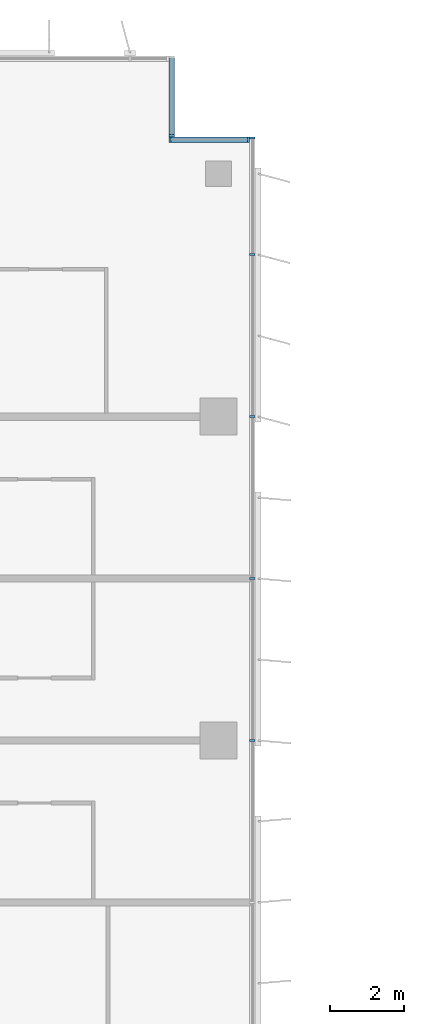
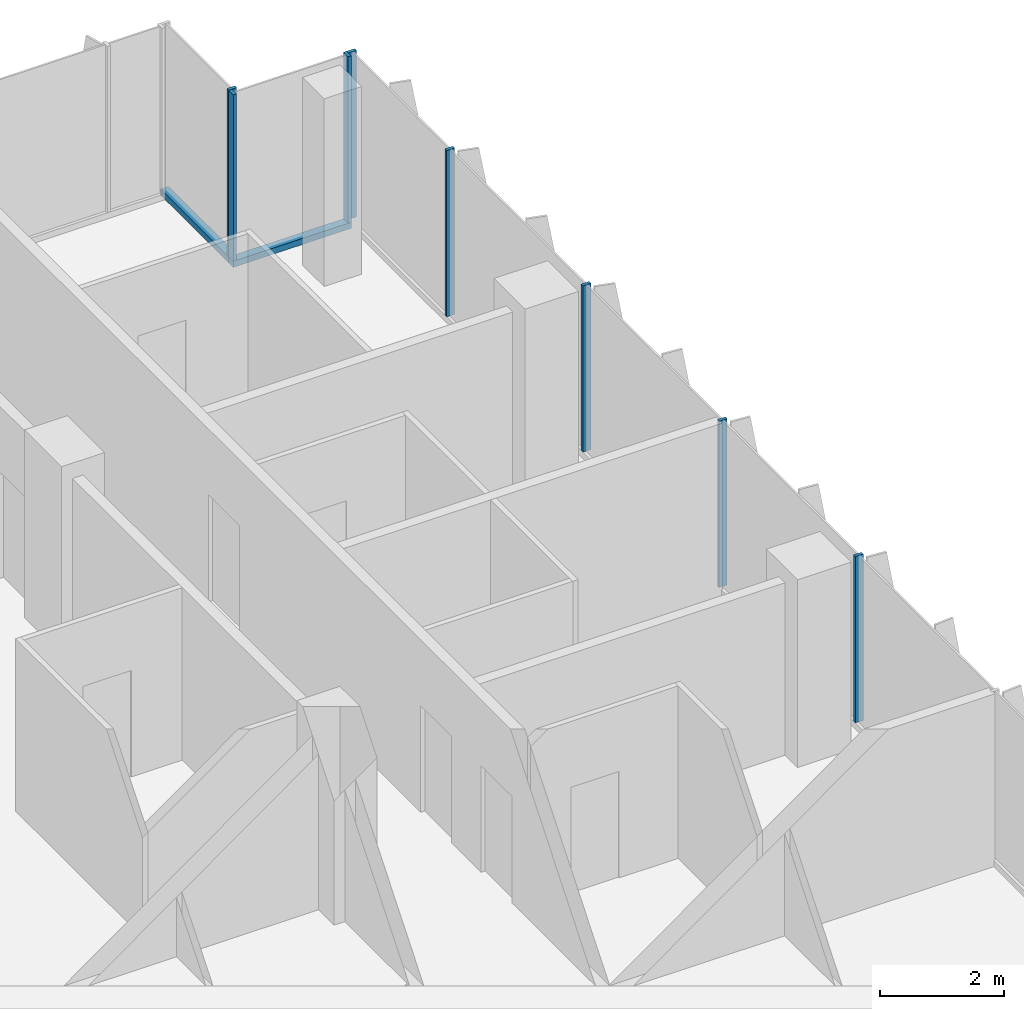
# One storey, part 7 of 21: 10 members, 3 elements without a shape of their own.
"""IFC4 building model written with IfcOpenShell, lengths in metres."""

from ifc_helpers import new_model, si_unit, direction, frame, origin, origin_2d, place, context, subcontext, project, spatial, rectangle, extrude, source, transform, mapped, material, material_profile, profile_set, type_object, element, aggregate, save


model = new_model("IFC4")

# Units and contexts
model_context = context("Model", 3, precision=1e-05, world=origin(), true_north=direction((0.0, 1.0)))
body_context = subcontext(model_context, "Body", "Model", "MODEL_VIEW")
ifc_project = project(units=[si_unit("LENGTHUNIT", "METRE"), si_unit("AREAUNIT", "SQUARE_METRE"), si_unit("VOLUMEUNIT", "CUBIC_METRE"), si_unit("PLANEANGLEUNIT", "RADIAN"), si_unit("MASSUNIT", "GRAM", prefix="KILO")], contexts=[model_context])

# Site, building, storey
site_placement = place(None, origin())
site = spatial("IfcSite", under=ifc_project, at=site_placement, CompositionType="ELEMENT")
building_placement = place(site_placement, origin())
building = spatial("IfcBuilding", under=site, at=building_placement, Name="Kemantara Hotel Tower", CompositionType="ELEMENT")
storey_placement = place(building_placement, frame((0.0, 0.0, 160.5)))
storey = spatial("IfcBuildingStorey", under=building, at=storey_placement, Name="L39", CompositionType="ELEMENT", Elevation=160.5)

# Curtain wall, member
ifc_material_1 = material(Name="Low-E tinted double insulated glass 36 mm", Category="glass")
curtain_wall_type = type_object("IfcCurtainWallType", Name="TOWER CURTAIN WALL, FRONT FACES", PredefinedType="USERDEFINED", material=ifc_material_1)
curtain_wall_1_placement = place(storey_placement, origin())
curtain_wall_1 = element("IfcCurtainWall", 1, at=curtain_wall_1_placement, inside=storey, type_object=curtain_wall_type, Name="CW4 L39 T3-R00-1", ObjectType="TOWER CURTAIN WALL, FRONT FACES", PredefinedType="USERDEFINED")
ifc_material_2 = material(Name="Aluminium 6063-T6 bronze anodised", Category="aluminium")
ifc_material_profile_1 = material_profile(ifc_material_2, rectangle(XDim=0.14990234375, YDim=0.1201171875, at=origin_2d()), Name="TOWER CURTAIN WALL, FRONT FACES TRANSOM")
ifc_profile_set_1 = profile_set([ifc_material_profile_1], Name="Aluminium 6063-T6 bronze anodised")
member_type_1 = type_object("IfcMemberType", Name="TOWER CURTAIN WALL, FRONT FACES TRANSOM", PredefinedType="USERDEFINED", material=ifc_profile_set_1)
member_1_placement = place(storey_placement, frame((21.85009765625, 61.324951171875, 0.06005859375), z_axis=(-1.0, 0.0, 0.0), x_axis=(0.0, -1.0, 0.0)))
member_1 = element("IfcMember", 2, at=member_1_placement, type_object=member_type_1, Name="CW4 sill transom T3-R00-1", ObjectType="TRANSOM", PredefinedType="USERDEFINED", context=body_context, shape_type="SweptSolid", body=[
    extrude(rectangle(XDim=0.14990234375, YDim=0.1201171875, at=origin_2d()), origin(), (0.0, 0.0, 1.0), 2.2001953125),
])

curtain_wall_2_placement = place(storey_placement, origin())
curtain_wall_2 = element("IfcCurtainWall", 3, at=curtain_wall_2_placement, inside=storey, type_object=curtain_wall_type, Name="CW4 L39 T3-R01-1", ObjectType="TOWER CURTAIN WALL, FRONT FACES", PredefinedType="USERDEFINED")
member_2_placement = place(storey_placement, frame((19.72509765625, 61.39990234375, 0.06005859375), z_axis=(0.0, 1.0, 0.0), x_axis=(-1.0, 0.0, 0.0)))
member_2 = element("IfcMember", 4, at=member_2_placement, type_object=member_type_1, Name="CW4 sill transom T3-R01-1", ObjectType="TRANSOM", PredefinedType="USERDEFINED", context=body_context, shape_type="SweptSolid", body=[
    extrude(rectangle(XDim=0.14990234375, YDim=0.1201171875, at=origin_2d()), origin(), (0.0, 0.0, 1.0), 2.2001953125),
])

# Curtain wall, members
curtain_wall_3_placement = place(storey_placement, origin())
curtain_wall_3 = element("IfcCurtainWall", 5, at=curtain_wall_3_placement, inside=storey, type_object=curtain_wall_type, Name="CW4 L39 T3-R17-1", ObjectType="TOWER CURTAIN WALL, FRONT FACES", PredefinedType="USERDEFINED")
ifc_material_profile_2 = material_profile(ifc_material_2, rectangle(XDim=0.14990234375, YDim=0.06005859375, at=origin_2d()), Name="TOWER CURTAIN WALL, FRONT FACES MULLION")
ifc_profile_set_2 = profile_set([ifc_material_profile_2], Name="Aluminium 6063-T6 bronze anodised")
member_type_2 = type_object("IfcMemberType", Name="TOWER CURTAIN WALL, FRONT FACES MULLION", PredefinedType="MULLION", material=ifc_profile_set_2)
shared_shape = source(origin(), body_context, "Body", "SweptSolid", [
    extrude(rectangle(XDim=0.14990234375, YDim=0.06005859375, at=origin_2d()), origin(), (0.0, 0.0, 1.0), 3.27978515625),
])
member_3_placement = place(storey_placement, frame((21.925048828125, 45.0, 0.1201171875), z_axis=(0.0, 0.0, 1.0), x_axis=(-1.0, 0.0, 0.0)))
member_3 = element("IfcMember", 6, at=member_3_placement, type_object=member_type_2, Name="CW4 mullion T3-R17-1.6", PredefinedType="MULLION", context=body_context, shape_type="MappedRepresentation", body=[
    mapped(shared_shape, transform((0.0, 0.0, 0.0))),
])
member_4_placement = place(storey_placement, frame((21.925048828125, 49.39990234375, 0.1201171875), z_axis=(0.0, 0.0, 1.0), x_axis=(-1.0, 0.0, 0.0)))
member_4 = element("IfcMember", 7, at=member_4_placement, type_object=member_type_2, Name="CW4 mullion T3-R17-1.7", PredefinedType="MULLION", context=body_context, shape_type="MappedRepresentation", body=[
    mapped(shared_shape, transform((0.0, 0.0, 0.0))),
])
member_5_placement = place(storey_placement, frame((21.925048828125, 53.800048828125, 0.1201171875), z_axis=(0.0, 0.0, 1.0), x_axis=(-1.0, 0.0, 0.0)))
member_5 = element("IfcMember", 8, at=member_5_placement, type_object=member_type_2, Name="CW4 mullion T3-R17-1.8", PredefinedType="MULLION", context=body_context, shape_type="MappedRepresentation", body=[
    mapped(shared_shape, transform((0.0, 0.0, 0.0))),
])
member_6_placement = place(storey_placement, frame((21.925048828125, 58.199951171875, 0.1201171875), z_axis=(0.0, 0.0, 1.0), x_axis=(-1.0, 0.0, 0.0)))
member_6 = element("IfcMember", 9, at=member_6_placement, type_object=member_type_2, Name="CW4 mullion T3-R17-1.9", PredefinedType="MULLION", context=body_context, shape_type="MappedRepresentation", body=[
    mapped(shared_shape, transform((0.0, 0.0, 0.0))),
])
member_7_placement = place(storey_placement, frame((21.925048828125, 61.3701171875, 0.1201171875), z_axis=(0.0, 0.0, 1.0), x_axis=(-1.0, 0.0, 0.0)))
member_7 = element("IfcMember", 10, at=member_7_placement, type_object=member_type_2, Name="CW4 mullion T3-R17-1.10", PredefinedType="MULLION", context=body_context, shape_type="MappedRepresentation", body=[
    mapped(shared_shape, transform((0.0, 0.0, 0.0))),
])
aggregate(curtain_wall_3, [member_3, member_4, member_5, member_6, member_7])

# Member
member_8_placement = place(storey_placement, frame((21.820068359375, 61.324951171875, 0.1201171875), z_axis=(0.0, 0.0, 1.0), x_axis=(0.0, -1.0, 0.0)))
member_8 = element("IfcMember", 11, at=member_8_placement, type_object=member_type_2, Name="CW4 mullion T3-R00-1.1", PredefinedType="MULLION", context=body_context, shape_type="MappedRepresentation", body=[
    mapped(shared_shape, transform((0.0, 0.0, 0.0))),
])

member_9_placement = place(storey_placement, frame((19.679931640625, 61.324951171875, 0.1201171875), z_axis=(0.0, 0.0, 1.0), x_axis=(0.0, -1.0, 0.0)))
member_9 = element("IfcMember", 12, at=member_9_placement, type_object=member_type_2, Name="CW4 mullion T3-R00-1.2", PredefinedType="MULLION", context=body_context, shape_type="MappedRepresentation", body=[
    mapped(shared_shape, transform((0.0, 0.0, 0.0))),
])

aggregate(curtain_wall_1, [member_1, member_8, member_9])

member_10_placement = place(storey_placement, frame((19.72509765625, 61.429931640625, 0.1201171875), z_axis=(0.0, 0.0, 1.0), x_axis=(-1.0, 0.0, 0.0)))
member_10 = element("IfcMember", 13, at=member_10_placement, type_object=member_type_2, Name="CW4 mullion T3-R01-1.1", PredefinedType="MULLION", context=body_context, shape_type="MappedRepresentation", body=[
    mapped(shared_shape, transform((0.0, 0.0, 0.0))),
])

aggregate(curtain_wall_2, [member_2, member_10])

save(model, "model.ifc")
